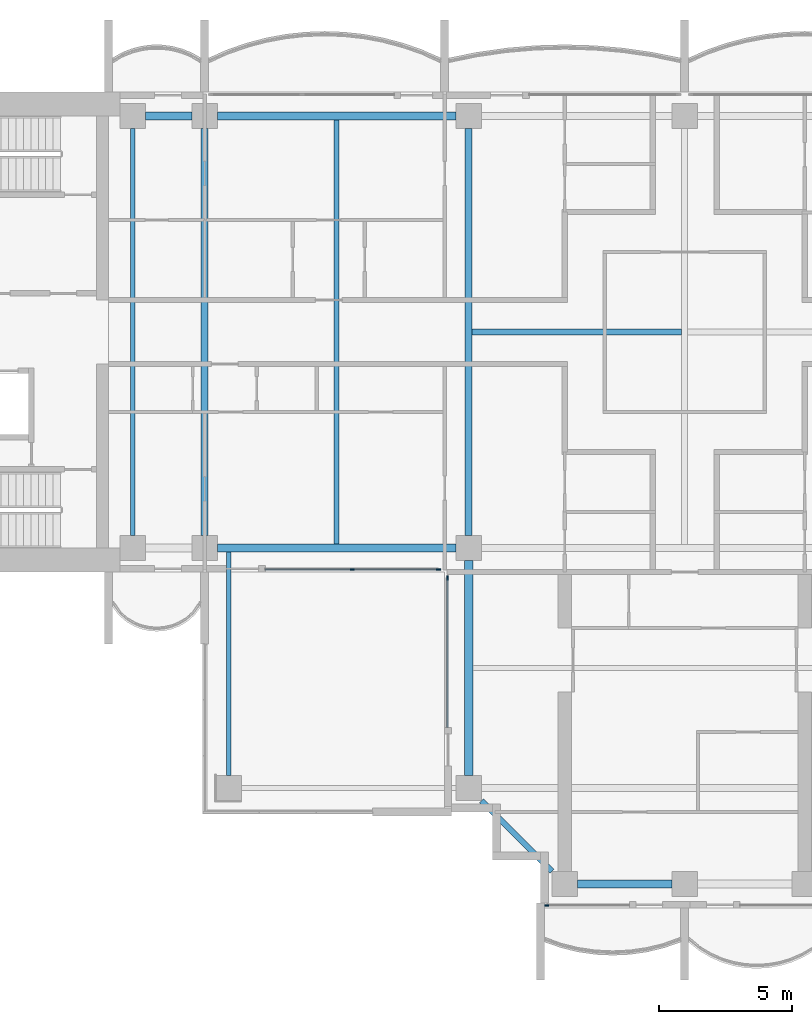
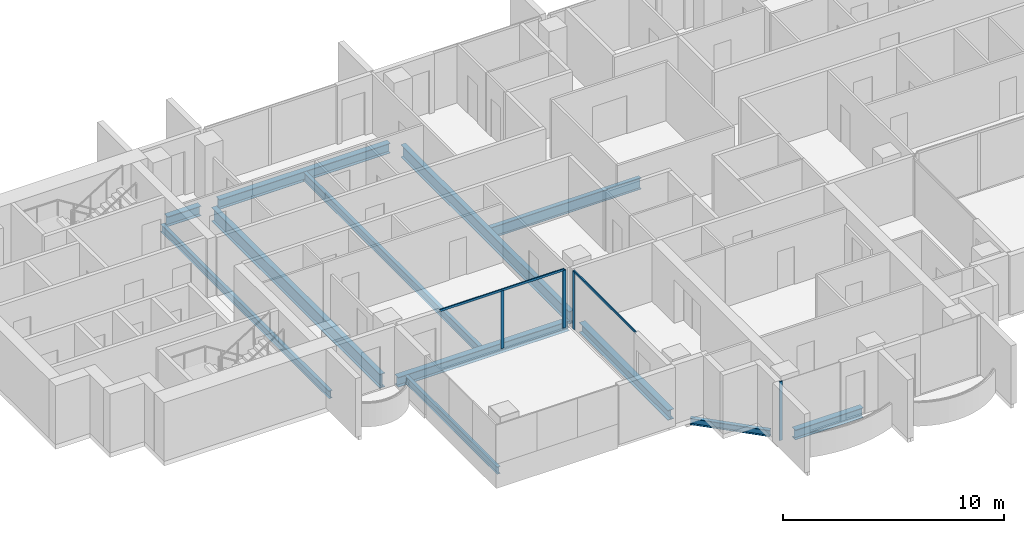
# One storey, part 2 of 17: 12 beams, 6 members, 3 elements without a shape of their own.
"""IFC4 building model written with IfcOpenShell, lengths in metres."""

from ifc_helpers import new_model, si_unit, direction, frame, origin, origin_2d, place, context, subcontext, project, spatial, rectangle, i_section, extrude, material, material_profile, profile_set, type_object, element, aggregate, save


model = new_model("IFC4")

# Units and contexts
model_context = context("Model", 3, precision=1e-05, world=origin(), true_north=direction((0.0, 1.0)))
body_context = subcontext(model_context, "Body", "Model", "MODEL_VIEW")
ifc_project = project(units=[si_unit("LENGTHUNIT", "METRE"), si_unit("AREAUNIT", "SQUARE_METRE"), si_unit("VOLUMEUNIT", "CUBIC_METRE"), si_unit("PLANEANGLEUNIT", "RADIAN"), si_unit("MASSUNIT", "GRAM", prefix="KILO")], contexts=[model_context])

# Site, building, storey
site_placement = place(None, origin())
site = spatial("IfcSite", under=ifc_project, at=site_placement, CompositionType="ELEMENT")
building_placement = place(site_placement, origin())
building = spatial("IfcBuilding", under=site, at=building_placement, Name="Perihelion Cross Residences", CompositionType="ELEMENT")
storey_placement = place(building_placement, frame((0.0, 0.0, 184.10009765625)))
storey = spatial("IfcBuildingStorey", under=building, at=storey_placement, Name="L45", CompositionType="ELEMENT", Elevation=184.10009765625)

# Curtain wall, members
ifc_material_1 = material(Name="Bronze anodised aluminium, tinted glazing", Category="aluminium")
curtain_wall_type = type_object("IfcCurtainWallType", Name="CW1", PredefinedType="NOTDEFINED", material=ifc_material_1)
curtain_wall_1_placement = place(storey_placement, origin())
curtain_wall_1 = element("IfcCurtainWall", 1, at=curtain_wall_1_placement, inside=storey, type_object=curtain_wall_type, Name="Curtain wall CW1 L45 west side south bay 2", PredefinedType="NOTDEFINED")
ifc_material_2 = material(Name="Bronze anodised aluminium", Category="aluminium")
ifc_material_profile_1 = material_profile(ifc_material_2, rectangle(XDim=0.06005859375, YDim=0.159912109375, at=origin_2d()), Name="CW1 mullion")
ifc_profile_set_1 = profile_set([ifc_material_profile_1], Name="Bronze anodised aluminium")
member_type_1 = type_object("IfcMemberType", Name="CW1 mullion", PredefinedType="MULLION", material=ifc_profile_set_1)
member_1_placement = place(storey_placement, frame((-12.46240234375, -8.89990234375, 0.0), z_axis=(0.0, 0.0, 1.0), x_axis=(0.0, 1.0, 0.0)))
member_1 = element("IfcMember", 2, at=member_1_placement, type_object=member_type_1, Name="CW1 mullion 2", PredefinedType="MULLION", context=body_context, shape_type="SweptSolid", body=[
    extrude(rectangle(XDim=0.06005859375, YDim=0.159912109375, at=origin_2d()), origin(), (0.0, 0.0, 1.0), 3.18994140625),
])
member_2_placement = place(storey_placement, frame((-9.22998046875, -8.89990234375, 0.0), z_axis=(0.0, 0.0, 1.0), x_axis=(0.0, 1.0, 0.0)))
member_2 = element("IfcMember", 3, at=member_2_placement, type_object=member_type_1, Name="CW1 mullion 3", PredefinedType="MULLION", context=body_context, shape_type="SweptSolid", body=[
    extrude(rectangle(XDim=0.06005859375, YDim=0.159912109375, at=origin_2d()), origin(), (0.0, 0.0, 1.0), 3.18994140625),
])

# Curtain wall, member
curtain_wall_2_placement = place(storey_placement, origin())
curtain_wall_2 = element("IfcCurtainWall", 4, at=curtain_wall_2_placement, inside=storey, type_object=curtain_wall_type, Name="Curtain wall CW1 L45 south side west bay 1", PredefinedType="NOTDEFINED")
member_3_placement = place(storey_placement, frame((-8.89990234375, -9.22998046875, 0.0), z_axis=(0.0, 0.0, 1.0), x_axis=(1.0, 0.0, 0.0)))
member_3 = element("IfcMember", 5, at=member_3_placement, type_object=member_type_1, Name="CW1 mullion 1", PredefinedType="MULLION", context=body_context, shape_type="SweptSolid", body=[
    extrude(rectangle(XDim=0.06005859375, YDim=0.159912109375, at=origin_2d()), origin(), (0.0, 0.0, 1.0), 3.18994140625),
])

curtain_wall_3_placement = place(storey_placement, origin())
curtain_wall_3 = element("IfcCurtainWall", 6, at=curtain_wall_3_placement, inside=storey, type_object=curtain_wall_type, Name="Curtain wall CW1 L45 south tip south bay 1", PredefinedType="NOTDEFINED")
member_4_placement = place(storey_placement, frame((-5.169921875, -21.5, 0.0), z_axis=(0.0, 0.0, 1.0), x_axis=(0.0, 1.0, 0.0)))
member_4 = element("IfcMember", 7, at=member_4_placement, type_object=member_type_1, Name="CW1 mullion 1", PredefinedType="MULLION", context=body_context, shape_type="SweptSolid", body=[
    extrude(rectangle(XDim=0.06005859375, YDim=0.159912109375, at=origin_2d()), origin(), (0.0, 0.0, 1.0), 3.25),
])
aggregate(curtain_wall_3, [member_4])

# Member
ifc_material_3 = material(Name="Bronze anodised aluminium", Category="aluminium")
ifc_material_profile_2 = material_profile(ifc_material_3, rectangle(XDim=0.06005859375, YDim=0.1201171875, at=origin_2d()), Name="CW1 transom")
ifc_profile_set_2 = profile_set([ifc_material_profile_2], Name="Bronze anodised aluminium")
member_type_2 = type_object("IfcMemberType", Name="CW1 transom", PredefinedType="USERDEFINED", material=ifc_profile_set_2)
member_5_placement = place(storey_placement, frame((-15.72509765625, -8.89990234375, 3.219970703125), z_axis=(1.0, 0.0, 0.0), x_axis=(0.0, 1.0, 0.0)))
member_5 = element("IfcMember", 8, at=member_5_placement, type_object=member_type_2, Name="CW1 head transom", ObjectType="TRANSOM", PredefinedType="USERDEFINED", context=body_context, shape_type="SweptSolid", body=[
    extrude(rectangle(XDim=0.06005859375, YDim=0.1201171875, at=origin_2d()), origin(), (0.0, 0.0, 1.0), 6.4951171875),
])

aggregate(curtain_wall_1, [member_1, member_2, member_5])

member_6_placement = place(storey_placement, frame((-8.89990234375, -9.22998046875, 3.219970703125), z_axis=(0.0, -1.0, 0.0), x_axis=(1.0, 0.0, 0.0)))
member_6 = element("IfcMember", 9, at=member_6_placement, type_object=member_type_2, Name="CW1 head transom", ObjectType="TRANSOM", PredefinedType="USERDEFINED", context=body_context, shape_type="SweptSolid", body=[
    extrude(rectangle(XDim=0.06005859375, YDim=0.1201171875, at=origin_2d()), origin(), (0.0, 0.0, 1.0), 5.594970703125),
])

aggregate(curtain_wall_2, [member_3, member_6])

# Beams
ifc_material_4 = material(Name="Steel S355", Category="steel")
ifc_material_profile_3 = material_profile(ifc_material_4, i_section(OverallWidth=0.177978515625, OverallDepth=0.406005859375, WebThickness=0.0078125, FlangeThickness=0.0126953125, at=origin_2d()), Name="W410x60")
ifc_profile_set_3 = profile_set([ifc_material_profile_3], Name="Steel S355")
beam_type_1 = type_object("IfcBeamType", Name="Core edge beam W410x60", PredefinedType="BEAM", material=ifc_profile_set_3)
beam_1_placement = place(storey_placement, frame((-17.10009765625, -8.256103515625, -0.453125), z_axis=(0.0, -1.0, 0.0), x_axis=(1.0, 0.0, 0.0)))
element("IfcBeam", 10, at=beam_1_placement, inside=storey, type_object=beam_type_1, Name="Core edge beam TB2 L45 corner no. 1", PredefinedType="BEAM", context=body_context, shape_type="SweptSolid", body=[
    extrude(i_section(OverallWidth=0.177978515625, OverallDepth=0.406005859375, WebThickness=0.0078125, FlangeThickness=0.0126953125, at=origin_2d()), origin(), (0.0, 0.0, 1.0), 8.368896484375),
])
ifc_material_5 = material(Name="Steel S355", Category="steel")
ifc_material_profile_4 = material_profile(ifc_material_5, i_section(OverallWidth=0.180908203125, OverallDepth=0.4169921875, WebThickness=0.010986328125, FlangeThickness=0.018310546875, at=origin_2d()), Name="W410x85")
ifc_profile_set_4 = profile_set([ifc_material_profile_4], Name="Steel S355")
beam_type_2 = type_object("IfcBeamType", Name="Core edge beam W410x85", PredefinedType="BEAM", material=ifc_profile_set_4)
beam_2_placement = place(storey_placement, frame((-20.699951171875, -7.625, -0.45849609375), z_axis=(0.0, 1.0, 0.0), x_axis=(-1.0, 0.0, 0.0)))
element("IfcBeam", 11, at=beam_2_placement, inside=storey, type_object=beam_type_2, Name="Core edge beam TB6 L45 no. 1", PredefinedType="BEAM", context=body_context, shape_type="SweptSolid", body=[
    extrude(i_section(OverallWidth=0.180908203125, OverallDepth=0.4169921875, WebThickness=0.010986328125, FlangeThickness=0.018310546875, at=origin_2d()), origin(), (0.0, 0.0, 1.0), 15.25),
])
ifc_material_6 = material(Name="Steel S355", Category="steel")
ifc_material_profile_5 = material_profile(ifc_material_6, i_section(OverallWidth=0.31201171875, OverallDepth=0.5439453125, WebThickness=0.0126953125, FlangeThickness=0.020263671875, at=origin_2d()), Name="W530x150")
ifc_profile_set_5 = profile_set([ifc_material_profile_5], Name="Steel S355")
beam_type_3 = type_object("IfcBeamType", Name="Edge beam W530x150", PredefinedType="SPANDREL", material=ifc_profile_set_5)
beam_3_placement = place(storey_placement, frame((-8.574951171875, 8.10009765625, -0.522216796875), z_axis=(-1.0, 0.0, 0.0), x_axis=(0.0, -1.0, 0.0)))
element("IfcBeam", 12, at=beam_3_placement, inside=storey, type_object=beam_type_3, Name="Edge beam SB4 L45 no. 6", PredefinedType="SPANDREL", context=body_context, shape_type="SweptSolid", body=[
    extrude(i_section(OverallWidth=0.31201171875, OverallDepth=0.5439453125, WebThickness=0.0126953125, FlangeThickness=0.020263671875, at=origin_2d()), origin(), (0.0, 0.0, 1.0), 8.949951171875),
])
beam_4_placement = place(storey_placement, frame((-18.47509765625, 8.10009765625, -0.522216796875), z_axis=(-1.0, 0.0, 0.0), x_axis=(0.0, -1.0, 0.0)))
element("IfcBeam", 13, at=beam_4_placement, inside=storey, type_object=beam_type_3, Name="Edge beam SB4 L45 no. 2", PredefinedType="SPANDREL", context=body_context, shape_type="SweptSolid", body=[
    extrude(i_section(OverallWidth=0.31201171875, OverallDepth=0.5439453125, WebThickness=0.0126953125, FlangeThickness=0.020263671875, at=origin_2d()), origin(), (0.0, 0.0, 1.0), 1.75),
])
beam_5_placement = place(storey_placement, frame((-17.52490234375, -8.10009765625, -0.522216796875), z_axis=(1.0, 0.0, 0.0), x_axis=(0.0, 1.0, 0.0)))
element("IfcBeam", 14, at=beam_5_placement, inside=storey, type_object=beam_type_3, Name="Edge beam SB4 L45 no. 1", PredefinedType="SPANDREL", context=body_context, shape_type="SweptSolid", body=[
    extrude(i_section(OverallWidth=0.31201171875, OverallDepth=0.5439453125, WebThickness=0.0126953125, FlangeThickness=0.020263671875, at=origin_2d()), origin(), (0.0, 0.0, 1.0), 8.949951171875),
])
beam_6_placement = place(storey_placement, frame((-8.10009765625, -8.574951171875, -0.522216796875), z_axis=(0.0, -1.0, 0.0), x_axis=(1.0, 0.0, 0.0)))
element("IfcBeam", 15, at=beam_6_placement, inside=storey, type_object=beam_type_3, Name="Edge beam SB4 L45 no. 5", PredefinedType="SPANDREL", context=body_context, shape_type="SweptSolid", body=[
    extrude(i_section(OverallWidth=0.31201171875, OverallDepth=0.5439453125, WebThickness=0.0126953125, FlangeThickness=0.020263671875, at=origin_2d()), origin(), (0.0, 0.0, 1.0), 8.050048828125),
])
beam_7_placement = place(storey_placement, frame((-4.02490234375, -20.699951171875, -0.522216796875), z_axis=(1.0, 0.0, 0.0), x_axis=(0.0, 1.0, 0.0)))
element("IfcBeam", 16, at=beam_7_placement, inside=storey, type_object=beam_type_3, Name="Edge beam SB4 L45 no. 4", PredefinedType="SPANDREL", context=body_context, shape_type="SweptSolid", body=[
    extrude(i_section(OverallWidth=0.31201171875, OverallDepth=0.5439453125, WebThickness=0.0126953125, FlangeThickness=0.020263671875, at=origin_2d()), origin(), (0.0, 0.0, 1.0), 3.5498046875),
])
ifc_material_7 = material(Name="Steel S355", Category="steel")
ifc_material_profile_6 = material_profile(ifc_material_7, i_section(OverallWidth=0.26708984375, OverallDepth=0.77001953125, WebThickness=0.015625, FlangeThickness=0.025390625, at=origin_2d()), Name="W760x196")
ifc_profile_set_6 = profile_set([ifc_material_profile_6], Name="Steel S355")
beam_type_4 = type_object("IfcBeamType", Name="Floor girder W760x196", PredefinedType="BEAM", material=ifc_profile_set_6)
beam_8_placement = place(storey_placement, frame((-18.0, -7.625, -0.635009765625), z_axis=(0.0, 1.0, 0.0), x_axis=(-1.0, 0.0, 0.0)))
element("IfcBeam", 17, at=beam_8_placement, inside=storey, type_object=beam_type_4, Name="Girder G4 L45 no. 1", PredefinedType="BEAM", context=body_context, shape_type="SweptSolid", body=[
    extrude(i_section(OverallWidth=0.26708984375, OverallDepth=0.77001953125, WebThickness=0.015625, FlangeThickness=0.025390625, at=origin_2d()), origin(), (0.0, 0.0, 1.0), 15.25),
])
ifc_material_8 = material(Name="Steel S355", Category="steel")
ifc_material_profile_7 = material_profile(ifc_material_8, i_section(OverallWidth=0.19091796875, OverallDepth=0.45703125, WebThickness=0.009033203125, FlangeThickness=0.014404296875, at=origin_2d()), Name="W460x74")
ifc_profile_set_7 = profile_set([ifc_material_profile_7], Name="Steel S355")
beam_type_5 = type_object("IfcBeamType", Name="Floor joist W460x74", PredefinedType="JOIST", material=ifc_profile_set_7)
beam_9_placement = place(storey_placement, frame((-13.050048828125, -7.944091796875, -0.478515625), z_axis=(0.0, 1.0, 0.0), x_axis=(-1.0, 0.0, 0.0)))
element("IfcBeam", 18, at=beam_9_placement, inside=storey, type_object=beam_type_5, Name="Joist J5 L45 no. 1", PredefinedType="JOIST", context=body_context, shape_type="SweptSolid", body=[
    extrude(i_section(OverallWidth=0.19091796875, OverallDepth=0.45703125, WebThickness=0.009033203125, FlangeThickness=0.014404296875, at=origin_2d()), origin(), (0.0, 0.0, 1.0), 15.88818359375),
])
ifc_material_9 = material(Name="Steel S355", Category="steel")
ifc_material_profile_8 = material_profile(ifc_material_9, i_section(OverallWidth=0.22900390625, OverallDepth=0.612060546875, WebThickness=0.011962890625, FlangeThickness=0.01953125, at=origin_2d()), Name="W610x125")
ifc_profile_set_8 = profile_set([ifc_material_profile_8], Name="Steel S355")
beam_type_6 = type_object("IfcBeamType", Name="Hub cross beam W610x125", PredefinedType="BEAM", material=ifc_profile_set_8)
beam_10_placement = place(storey_placement, frame((-7.971435546875, 0.0, -0.55615234375), z_axis=(1.0, 0.0, 0.0), x_axis=(0.0, 1.0, 0.0)))
element("IfcBeam", 19, at=beam_10_placement, inside=storey, type_object=beam_type_6, Name="Hub cross beam XB4 L45 1 no. 1", PredefinedType="BEAM", context=body_context, shape_type="SweptSolid", body=[
    extrude(i_section(OverallWidth=0.22900390625, OverallDepth=0.612060546875, WebThickness=0.011962890625, FlangeThickness=0.01953125, at=origin_2d()), origin(), (0.0, 0.0, 1.0), 7.85693359375),
])
ifc_material_10 = material(Name="Steel S355", Category="steel")
ifc_material_profile_9 = material_profile(ifc_material_10, i_section(OverallWidth=0.257080078125, OverallDepth=0.693115234375, WebThickness=0.014404296875, FlangeThickness=0.023681640625, at=origin_2d()), Name="W690x170")
ifc_profile_set_9 = profile_set([ifc_material_profile_9], Name="Steel S355")
beam_type_7 = type_object("IfcBeamType", Name="Hub ring girder W690x170", PredefinedType="BEAM", material=ifc_profile_set_9)
beam_11_placement = place(storey_placement, frame((-8.10009765625, 7.625, -0.5966796875), z_axis=(0.0, -1.0, 0.0), x_axis=(1.0, 0.0, 0.0)))
element("IfcBeam", 20, at=beam_11_placement, inside=storey, type_object=beam_type_7, Name="Hub ring girder RG4 L45 no. 2", PredefinedType="BEAM", context=body_context, shape_type="SweptSolid", body=[
    extrude(i_section(OverallWidth=0.257080078125, OverallDepth=0.693115234375, WebThickness=0.014404296875, FlangeThickness=0.023681640625, at=origin_2d()), origin(), (0.0, 0.0, 1.0), 15.25),
])
ifc_material_11 = material(Name="Steel S355", Category="steel")
ifc_material_profile_10 = material_profile(ifc_material_11, i_section(OverallWidth=0.205078125, OverallDepth=0.35302734375, WebThickness=0.009521484375, FlangeThickness=0.016845703125, at=origin_2d()), Name="W360x79")
ifc_profile_set_10 = profile_set([ifc_material_profile_10], Name="Steel S355")
beam_type_8 = type_object("IfcBeamType", Name="Serration edge beam W360x79", PredefinedType="BEAM", material=ifc_profile_set_10)
beam_12_placement = place(storey_placement, frame((-7.625, -17.574951171875, -0.426513671875), z_axis=(0.70707420838, -0.707139352493, 0.0), x_axis=(0.707139352493, 0.70707420838, 0.0)))
element("IfcBeam", 21, at=beam_12_placement, inside=storey, type_object=beam_type_8, Name="Serration edge beam EB4 L45 no. 1", PredefinedType="BEAM", context=body_context, shape_type="SweptSolid", body=[
    extrude(i_section(OverallWidth=0.205078125, OverallDepth=0.35302734375, WebThickness=0.009521484375, FlangeThickness=0.016845703125, at=origin_2d()), origin(), (0.0, 0.0, 1.0), 3.747802734375),
])

save(model, "model.ifc")
